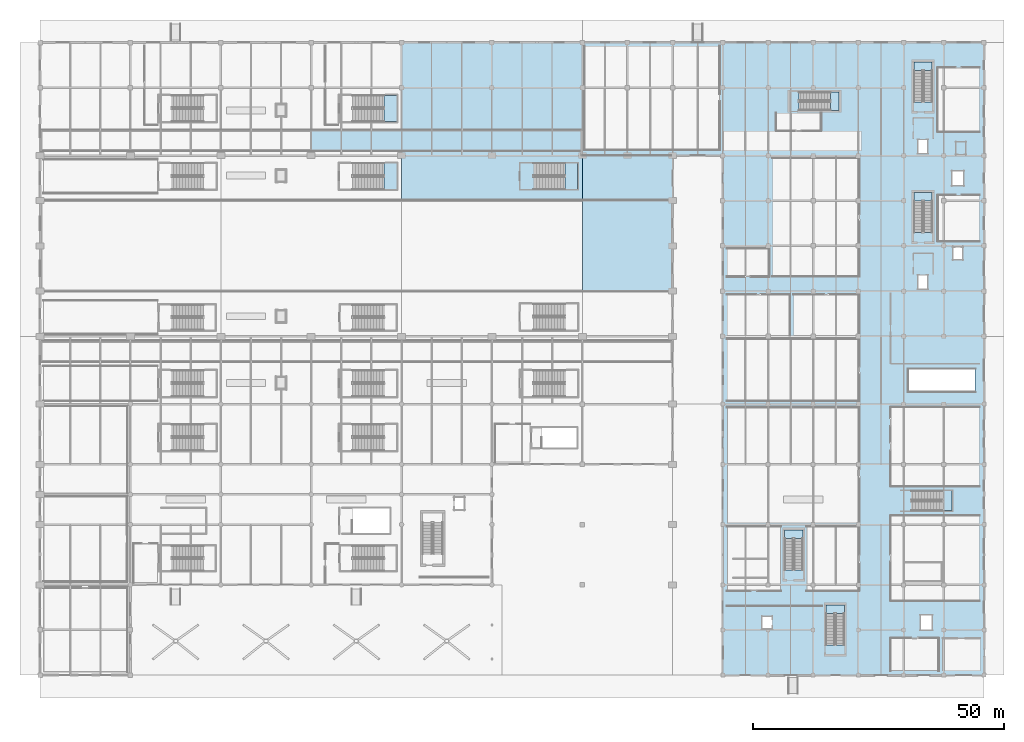
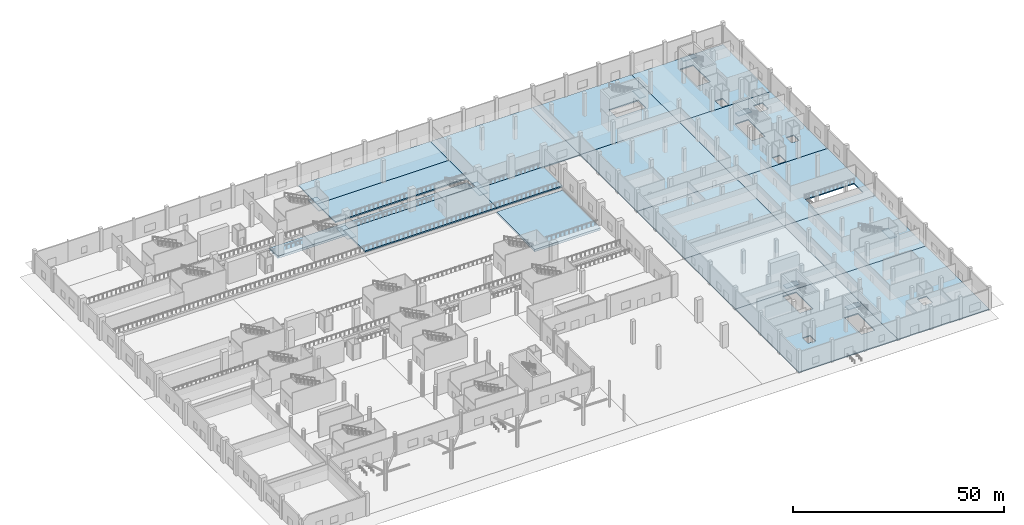
# One storey, part 12 of 65: 26 slabs, 9 elements without a shape of their own.
"""IFC4 building model written with IfcOpenShell, lengths in metres."""

from ifc_helpers import new_model, si_unit, direction, frame, origin, place, context, subcontext, project, spatial, polyline, outline, extrude, material, layer, layer_set, type_object, element, aggregate, save


model = new_model("IFC4")

# Units and contexts
model_context = context("Model", 3, precision=1e-05, world=origin(), true_north=direction((0.0, 1.0)))
body_context = subcontext(model_context, "Body", "Model", "MODEL_VIEW")
ifc_project = project(units=[si_unit("LENGTHUNIT", "METRE"), si_unit("AREAUNIT", "SQUARE_METRE"), si_unit("VOLUMEUNIT", "CUBIC_METRE"), si_unit("PLANEANGLEUNIT", "RADIAN"), si_unit("MASSUNIT", "GRAM", prefix="KILO")], contexts=[model_context])

# Site, building, storey
site_placement = place(None, origin())
site = spatial("IfcSite", under=ifc_project, at=site_placement, CompositionType="ELEMENT")
building_placement = place(site_placement, origin())
building = spatial("IfcBuilding", under=site, at=building_placement, Name="Chuanluo Vaults Station", CompositionType="ELEMENT")
storey_placement = place(building_placement, origin())
storey = spatial("IfcBuildingStorey", under=building, at=storey_placement, Name="L00", CompositionType="ELEMENT", Elevation=0.0)

# Slabs
ifc_material_1 = material(Name="Concrete C40", Category="concrete")
ifc_layer_1 = layer(ifc_material_1, 0.300048828125)
ifc_layer_set_1 = layer_set([ifc_layer_1], Name="Concrete C40")
slab_type_1 = type_object("IfcSlabType", Name="SLB-CON-300", PredefinedType="FLOOR", material=ifc_layer_set_1)
slab_1_placement = place(storey_placement, frame((0.0, 0.0, -0.300048828125)))
element("IfcSlab", 1, at=slab_1_placement, inside=storey, type_object=slab_type_1, Name="L00 RET slab 01", PredefinedType="FLOOR", context=body_context, shape_type="SweptSolid", body=[
    extrude(outline(polyline([(136.0, 0.0), (163.0, 0.0), (163.0, 30.0), (136.0, 30.0), (136.0, 0.0)]), holes=[polyline([(151.9375, 20.94140625), (151.9375, 28.922607421875), (148.3173828125, 28.922607421875), (148.3173828125, 20.94140625), (151.9375, 20.94140625)]), polyline([(160.1875, 6.00390625), (160.1875, 13.985107421875), (156.5673828125, 13.985107421875), (156.5673828125, 6.00390625), (160.1875, 6.00390625)]), polyline([(143.780029296875, 9.22998046875), (145.820068359375, 9.22998046875), (145.820068359375, 11.77001953125), (143.780029296875, 11.77001953125), (143.780029296875, 9.22998046875)])]), origin(), (0.0, 0.0, 1.0), 0.300048828125),
])
slab_2_placement = place(storey_placement, frame((0.0, 0.0, -0.300048828125)))
element("IfcSlab", 2, at=slab_2_placement, inside=storey, type_object=slab_type_1, Name="L00 RET slab 02", PredefinedType="FLOOR", context=body_context, shape_type="SweptSolid", body=[
    extrude(outline(polyline([(136.0, 30.0), (163.0, 30.0), (163.0, 54.0), (136.0, 54.0), (136.0, 30.0)])), origin(), (0.0, 0.0, 1.0), 0.300048828125),
])
slab_3_placement = place(storey_placement, frame((0.0, 0.0, -0.300048828125)))
element("IfcSlab", 3, at=slab_3_placement, inside=storey, type_object=slab_type_1, Name="L00 RET slab 03", PredefinedType="FLOOR", context=body_context, shape_type="SweptSolid", body=[
    extrude(outline(polyline([(163.0, 0.0), (188.0, 0.0), (188.0, 30.0), (163.0, 30.0), (163.0, 0.0)]), holes=[polyline([(175.280029296875, 8.97998046875), (177.719970703125, 8.97998046875), (177.719970703125, 12.02001953125), (175.280029296875, 12.02001953125), (175.280029296875, 8.97998046875)])]), origin(), (0.0, 0.0, 1.0), 0.300048828125),
])
slab_4_placement = place(storey_placement, frame((0.0, 0.0, -0.300048828125)))
element("IfcSlab", 4, at=slab_4_placement, inside=storey, type_object=slab_type_1, Name="L00 RET slab 04", PredefinedType="FLOOR", context=body_context, shape_type="SweptSolid", body=[
    extrude(outline(polyline([(163.0, 30.0), (188.0, 30.0), (188.0, 54.0), (163.0, 54.0), (163.0, 30.0)])), origin(), (0.0, 0.0, 1.0), 0.300048828125),
])
slab_5_placement = place(storey_placement, frame((0.0, 0.0, -0.300048828125)))
element("IfcSlab", 5, at=slab_5_placement, inside=storey, type_object=slab_type_1, Name="L00 OPS slab 01", PredefinedType="FLOOR", context=body_context, shape_type="SweptSolid", body=[
    extrude(outline(polyline([(136.0, 54.0), (163.0, 54.0), (163.0, 76.5), (136.0, 76.5), (136.0, 54.0)])), origin(), (0.0, 0.0, 1.0), 0.300048828125),
])
slab_6_placement = place(storey_placement, frame((0.0, 0.0, -0.300048828125)))
element("IfcSlab", 6, at=slab_6_placement, inside=storey, type_object=slab_type_1, Name="L00 OPS slab 02", PredefinedType="FLOOR", context=body_context, shape_type="SweptSolid", body=[
    extrude(outline(polyline([(136.0, 76.5), (163.0, 76.5), (163.0, 103.5), (136.0, 103.5), (136.0, 76.5)])), origin(), (0.0, 0.0, 1.0), 0.300048828125),
])
slab_7_placement = place(storey_placement, frame((0.0, 0.0, -0.300048828125)))
element("IfcSlab", 7, at=slab_7_placement, inside=storey, type_object=slab_type_1, Name="L00 OPS slab 03", PredefinedType="FLOOR", context=body_context, shape_type="SweptSolid", body=[
    extrude(outline(polyline([(136.0, 103.5), (163.0, 103.5), (163.0, 126.0), (136.0, 126.0), (136.0, 103.5)]), holes=[polyline([(151.19140625, 112.5), (159.172607421875, 112.5), (159.172607421875, 116.1201171875), (151.19140625, 116.1201171875), (151.19140625, 112.5)])]), origin(), (0.0, 0.0, 1.0), 0.300048828125),
])
slab_8_placement = place(storey_placement, frame((0.0, 0.0, -0.300048828125)))
element("IfcSlab", 8, at=slab_8_placement, inside=storey, type_object=slab_type_1, Name="L00 OPS slab 04", PredefinedType="FLOOR", context=body_context, shape_type="SweptSolid", body=[
    extrude(outline(polyline([(163.0, 54.0), (188.0, 54.0), (188.0, 76.5), (163.0, 76.5), (163.0, 54.0)]), holes=[polyline([(173.0, 56.5), (186.199951171875, 56.5), (186.199951171875, 60.89990234375), (173.0, 60.89990234375), (173.0, 56.5)])]), origin(), (0.0, 0.0, 1.0), 0.300048828125),
])
slab_9_placement = place(storey_placement, frame((0.0, 0.0, -0.300048828125)))
element("IfcSlab", 9, at=slab_9_placement, inside=storey, type_object=slab_type_1, Name="L00 OPS slab 05", PredefinedType="FLOOR", context=body_context, shape_type="SweptSolid", body=[
    extrude(outline(polyline([(163.0, 76.5), (188.0, 76.5), (188.0, 103.5), (163.0, 103.5), (163.0, 76.5)]), holes=[polyline([(177.6875, 88.19140625), (177.6875, 96.172607421875), (174.0673828125, 96.172607421875), (174.0673828125, 88.19140625), (177.6875, 88.19140625)]), polyline([(174.780029296875, 76.8798828125), (176.820068359375, 76.8798828125), (176.820068359375, 79.719970703125), (174.780029296875, 79.719970703125), (174.780029296875, 76.8798828125)]), polyline([(181.780029296875, 82.72998046875), (183.820068359375, 82.72998046875), (183.820068359375, 85.27001953125), (181.780029296875, 85.27001953125), (181.780029296875, 82.72998046875)]), polyline([(181.580078125, 97.47998046875), (184.02001953125, 97.47998046875), (184.02001953125, 100.52001953125), (181.580078125, 100.52001953125), (181.580078125, 97.47998046875)])]), origin(), (0.0, 0.0, 1.0), 0.300048828125),
])
slab_10_placement = place(storey_placement, frame((0.0, 0.0, -0.300048828125)))
element("IfcSlab", 10, at=slab_10_placement, inside=storey, type_object=slab_type_1, Name="L00 OPS slab 06", PredefinedType="FLOOR", context=body_context, shape_type="SweptSolid", body=[
    extrude(outline(polyline([(163.0, 103.5), (188.0, 103.5), (188.0, 126.0), (163.0, 126.0), (163.0, 103.5)]), holes=[polyline([(177.6875, 114.19140625), (177.6875, 122.172607421875), (174.0673828125, 122.172607421875), (174.0673828125, 114.19140625), (177.6875, 114.19140625)]), polyline([(174.780029296875, 103.8798828125), (176.820068359375, 103.8798828125), (176.820068359375, 106.719970703125), (174.780029296875, 106.719970703125), (174.780029296875, 103.8798828125)])]), origin(), (0.0, 0.0, 1.0), 0.300048828125),
])
ifc_material_2 = material(Name="Concrete C40", Category="concrete")
ifc_layer_2 = layer(ifc_material_2, 0.320068359375)
ifc_layer_set_2 = layer_set([ifc_layer_2], Name="Concrete C40")
slab_type_2 = type_object("IfcSlabType", Name="SLB-CON-320", PredefinedType="FLOOR", material=ifc_layer_set_2)
slab_11_placement = place(storey_placement, frame((0.0, 0.0, -0.320068359375)))
element("IfcSlab", 11, at=slab_11_placement, inside=storey, type_object=slab_type_2, Name="L00 NTH slab 03", PredefinedType="FLOOR", context=body_context, shape_type="SweptSolid", body=[
    extrude(outline(polyline([(72.0, 117.0), (108.0, 117.0), (108.0, 126.0), (72.0, 126.0), (72.0, 117.0)])), origin(), (0.0, 0.0, 1.0), 0.320068359375),
])
slab_12_placement = place(storey_placement, frame((0.0, 0.0, -0.320068359375)))
element("IfcSlab", 12, at=slab_12_placement, inside=storey, type_object=slab_type_2, Name="L00 NWOPS slab 01", PredefinedType="FLOOR", context=body_context, shape_type="SweptSolid", body=[
    extrude(outline(polyline([(108.0, 103.5), (136.0, 103.5), (136.0, 126.0), (108.0, 126.0), (108.0, 103.5)])), origin(), (0.0, 0.0, 1.0), 0.320068359375),
])

# Stair, slab
ifc_material_3 = material(Name="Concrete C40", Category="concrete")
stair_type_1 = type_object("IfcStairType", Name="STR-TWO-2500", PredefinedType="HALF_TURN_STAIR", material=ifc_material_3)
stair_1_placement = place(storey_placement, origin())
stair_1 = element("IfcStair", 13, at=stair_1_placement, inside=storey, type_object=stair_type_1, Name="L00 ST-14", PredefinedType="HALF_TURN_STAIR")
ifc_material_4 = material(Name="Concrete C40", Category="concrete")
ifc_layer_3 = layer(ifc_material_4, 0.18994140625)
ifc_layer_set_3 = layer_set([ifc_layer_3], Name="Concrete C40")
slab_type_3 = type_object("IfcSlabType", Name="SLB-LND-190", PredefinedType="LANDING", material=ifc_layer_set_3)
slab_13_placement = place(storey_placement, frame((0.0, 0.0, 3.10009765625)))
slab_13 = element("IfcSlab", 14, at=slab_13_placement, type_object=slab_type_3, Name="ST-14 landing 1", PredefinedType="LANDING", context=body_context, shape_type="SweptSolid", body=[
    extrude(outline(polyline([(68.550048828125, 96.75), (71.050048828125, 96.75), (71.050048828125, 102.0), (68.550048828125, 102.0), (68.550048828125, 96.75)])), origin(), (0.0, 0.0, 1.0), 0.199951171875),
])
aggregate(stair_1, [slab_13])

stair_2_placement = place(storey_placement, origin())
stair_2 = element("IfcStair", 15, at=stair_2_placement, inside=storey, type_object=stair_type_1, Name="L00 ST-15", PredefinedType="HALF_TURN_STAIR")
slab_14_placement = place(storey_placement, frame((0.0, 0.0, 3.10009765625)))
slab_14 = element("IfcSlab", 16, at=slab_14_placement, type_object=slab_type_3, Name="ST-15 landing 1", PredefinedType="LANDING", context=body_context, shape_type="SweptSolid", body=[
    extrude(outline(polyline([(104.550048828125, 96.75), (107.050048828125, 96.75), (107.050048828125, 102.0), (104.550048828125, 102.0), (104.550048828125, 96.75)])), origin(), (0.0, 0.0, 1.0), 0.199951171875),
])
aggregate(stair_2, [slab_14])

stair_3_placement = place(storey_placement, origin())
stair_3 = element("IfcStair", 17, at=stair_3_placement, inside=storey, type_object=stair_type_1, Name="L00 ST-17", PredefinedType="HALF_TURN_STAIR")
slab_15_placement = place(storey_placement, frame((0.0, 0.0, 3.10009765625)))
slab_15 = element("IfcSlab", 18, at=slab_15_placement, type_object=slab_type_3, Name="ST-17 landing 1", PredefinedType="LANDING", context=body_context, shape_type="SweptSolid", body=[
    extrude(outline(polyline([(68.550048828125, 110.25), (71.050048828125, 110.25), (71.050048828125, 115.5), (68.550048828125, 115.5), (68.550048828125, 110.25)])), origin(), (0.0, 0.0, 1.0), 0.199951171875),
])
aggregate(stair_3, [slab_15])

ifc_material_5 = material(Name="Concrete C40", Category="concrete")
stair_type_2 = type_object("IfcStairType", Name="STR-TWO-1800", PredefinedType="HALF_TURN_STAIR", material=ifc_material_5)
stair_4_placement = place(storey_placement, origin())
stair_4 = element("IfcStair", 19, at=stair_4_placement, inside=storey, type_object=stair_type_2, Name="L00 ST-26", PredefinedType="HALF_TURN_STAIR")
slab_16_placement = place(storey_placement, frame((0.0, 0.0, 3.10009765625)))
slab_16 = element("IfcSlab", 20, at=slab_16_placement, type_object=slab_type_3, Name="ST-26 landing 1", PredefinedType="LANDING", context=body_context, shape_type="SweptSolid", body=[
    extrude(outline(polyline([(179.800048828125, 32.75), (181.675048828125, 32.75), (181.675048828125, 36.75), (179.800048828125, 36.75), (179.800048828125, 32.75)])), origin(), (0.0, 0.0, 1.0), 0.199951171875),
])
aggregate(stair_4, [slab_16])

ifc_material_6 = material(Name="Concrete C40", Category="concrete")
stair_type_3 = type_object("IfcStairType", Name="STR-TWO-1600", PredefinedType="HALF_TURN_STAIR", material=ifc_material_6)
stair_5_placement = place(storey_placement, origin())
stair_5 = element("IfcStair", 21, at=stair_5_placement, inside=storey, type_object=stair_type_3, Name="L00 ST-01", PredefinedType="HALF_TURN_STAIR")
ifc_material_7 = material(Name="Concrete C40", Category="concrete")
ifc_layer_4 = layer(ifc_material_7, 0.199951171875)
ifc_layer_set_4 = layer_set([ifc_layer_4], Name="Concrete C40")
slab_type_4 = type_object("IfcSlabType", Name="SLB-LND-200", PredefinedType="LANDING", material=ifc_layer_set_4)
slab_17_placement = place(storey_placement, frame((0.0, 0.0, 3.10009765625)))
slab_17 = element("IfcSlab", 22, at=slab_17_placement, type_object=slab_type_4, Name="ST-01 landing 1", PredefinedType="LANDING", context=body_context, shape_type="SweptSolid", body=[
    extrude(outline(polyline([(177.6875, 94.487548828125), (177.6875, 96.172607421875), (174.0673828125, 96.172607421875), (174.0673828125, 94.487548828125), (177.6875, 94.487548828125)])), origin(), (0.0, 0.0, 1.0), 0.199951171875),
])
aggregate(stair_5, [slab_17])

stair_6_placement = place(storey_placement, origin())
stair_6 = element("IfcStair", 23, at=stair_6_placement, inside=storey, type_object=stair_type_3, Name="L00 ST-02", PredefinedType="HALF_TURN_STAIR")
slab_18_placement = place(storey_placement, frame((0.0, 0.0, 3.10009765625)))
slab_18 = element("IfcSlab", 24, at=slab_18_placement, type_object=slab_type_4, Name="ST-02 landing 1", PredefinedType="LANDING", context=body_context, shape_type="SweptSolid", body=[
    extrude(outline(polyline([(177.6875, 120.487548828125), (177.6875, 122.172607421875), (174.0673828125, 122.172607421875), (174.0673828125, 120.487548828125), (177.6875, 120.487548828125)])), origin(), (0.0, 0.0, 1.0), 0.199951171875),
])
aggregate(stair_6, [slab_18])

stair_7_placement = place(storey_placement, origin())
stair_7 = element("IfcStair", 25, at=stair_7_placement, inside=storey, type_object=stair_type_3, Name="L00 ST-03", PredefinedType="HALF_TURN_STAIR")
slab_19_placement = place(storey_placement, frame((0.0, 0.0, 3.10009765625)))
slab_19 = element("IfcSlab", 26, at=slab_19_placement, type_object=slab_type_4, Name="ST-03 landing 1", PredefinedType="LANDING", context=body_context, shape_type="SweptSolid", body=[
    extrude(outline(polyline([(157.487548828125, 112.5), (159.172607421875, 112.5), (159.172607421875, 116.1201171875), (157.487548828125, 116.1201171875), (157.487548828125, 112.5)])), origin(), (0.0, 0.0, 1.0), 0.199951171875),
])
aggregate(stair_7, [slab_19])

stair_8_placement = place(storey_placement, origin())
stair_8 = element("IfcStair", 27, at=stair_8_placement, inside=storey, type_object=stair_type_3, Name="L00 ST-04", PredefinedType="HALF_TURN_STAIR")
slab_20_placement = place(storey_placement, frame((0.0, 0.0, 3.10009765625)))
slab_20 = element("IfcSlab", 28, at=slab_20_placement, type_object=slab_type_4, Name="ST-04 landing 1", PredefinedType="LANDING", context=body_context, shape_type="SweptSolid", body=[
    extrude(outline(polyline([(151.9375, 27.237548828125), (151.9375, 28.922607421875), (148.3173828125, 28.922607421875), (148.3173828125, 27.237548828125), (151.9375, 27.237548828125)])), origin(), (0.0, 0.0, 1.0), 0.199951171875),
])
aggregate(stair_8, [slab_20])

stair_9_placement = place(storey_placement, origin())
stair_9 = element("IfcStair", 29, at=stair_9_placement, inside=storey, type_object=stair_type_3, Name="L00 ST-05", PredefinedType="HALF_TURN_STAIR")
slab_21_placement = place(storey_placement, frame((0.0, 0.0, 3.10009765625)))
slab_21 = element("IfcSlab", 30, at=slab_21_placement, type_object=slab_type_4, Name="ST-05 landing 1", PredefinedType="LANDING", context=body_context, shape_type="SweptSolid", body=[
    extrude(outline(polyline([(160.1875, 12.300048828125), (160.1875, 13.985107421875), (156.5673828125, 13.985107421875), (156.5673828125, 12.300048828125), (160.1875, 12.300048828125)])), origin(), (0.0, 0.0, 1.0), 0.199951171875),
])
aggregate(stair_9, [slab_21])

# Slabs
ifc_material_8 = material(Name="Concrete C40", Category="concrete")
ifc_layer_5 = layer(ifc_material_8, 0.3798828125)
ifc_layer_set_5 = layer_set([ifc_layer_5], Name="Concrete C40")
slab_type_5 = type_object("IfcSlabType", Name="SLB-PLT-380", PredefinedType="FLOOR", material=ifc_layer_set_5)
slab_22_placement = place(storey_placement, frame((0.0, 0.0, -0.3798828125)))
element("IfcSlab", 31, at=slab_22_placement, inside=storey, type_object=slab_type_5, Name="L00 PLT3 slab 03", PredefinedType="FLOOR", context=body_context, shape_type="SweptSolid", body=[
    extrude(outline(polyline([(72.0, 94.5), (108.0, 94.5), (108.0, 104.5), (72.0, 104.5), (72.0, 94.5)])), origin(), (0.0, 0.0, 1.0), 0.3798828125),
])
slab_23_placement = place(storey_placement, frame((0.0, 0.0, -0.3798828125)))
element("IfcSlab", 32, at=slab_23_placement, inside=storey, type_object=slab_type_5, Name="L00 PLT3 slab 04", PredefinedType="FLOOR", context=body_context, shape_type="SweptSolid", body=[
    extrude(outline(polyline([(108.0, 94.5), (126.0, 94.5), (126.0, 103.5), (108.0, 103.5), (108.0, 94.5)])), origin(), (0.0, 0.0, 1.0), 0.3798828125),
])
slab_24_placement = place(storey_placement, frame((0.0, 0.0, -0.3798828125)))
element("IfcSlab", 33, at=slab_24_placement, inside=storey, type_object=slab_type_5, Name="L00 PLT4 slab 03", PredefinedType="FLOOR", context=body_context, shape_type="SweptSolid", body=[
    extrude(outline(polyline([(72.0, 108.5), (108.0, 108.5), (108.0, 117.0), (72.0, 117.0), (72.0, 108.5)])), origin(), (0.0, 0.0, 1.0), 0.3798828125),
])
ifc_material_9 = material(Name="Concrete C40", Category="concrete")
ifc_layer_6 = layer(ifc_material_9, 0.64990234375)
ifc_layer_set_6 = layer_set([ifc_layer_6], Name="Concrete C40")
slab_type_6 = type_object("IfcSlabType", Name="SLB-TRK-650", PredefinedType="BASESLAB", material=ifc_layer_set_6)
slab_25_placement = place(storey_placement, frame((0.0, 0.0, -1.89990234375)))
element("IfcSlab", 34, at=slab_25_placement, inside=storey, type_object=slab_type_6, Name="L00 TRK25 slab 04", PredefinedType="BASESLAB", context=body_context, shape_type="SweptSolid", body=[
    extrude(outline(polyline([(108.0, 76.5), (126.0, 76.5), (126.0, 94.5), (108.0, 94.5), (108.0, 76.5)])), origin(), (0.0, 0.0, 1.0), 0.64990234375),
])
slab_26_placement = place(storey_placement, frame((0.0, 0.0, -1.89990234375)))
element("IfcSlab", 35, at=slab_26_placement, inside=storey, type_object=slab_type_6, Name="L00 TRK6 slab 02", PredefinedType="BASESLAB", context=body_context, shape_type="SweptSolid", body=[
    extrude(outline(polyline([(54.0, 104.5), (108.0, 104.5), (108.0, 108.5), (54.0, 108.5), (54.0, 104.5)])), origin(), (0.0, 0.0, 1.0), 0.64990234375),
])

save(model, "model.ifc")
